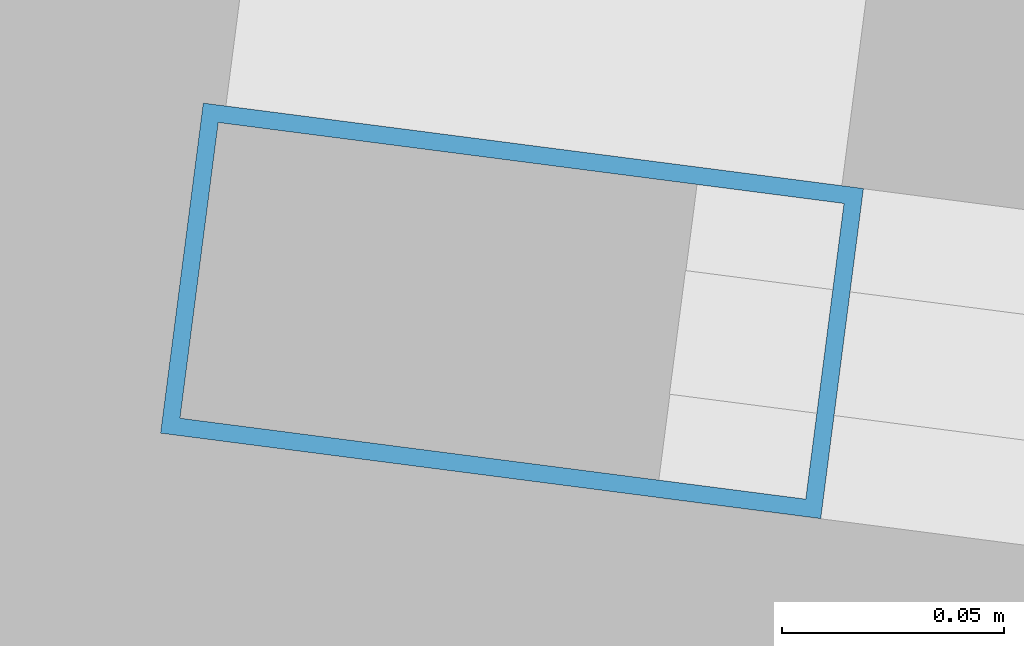
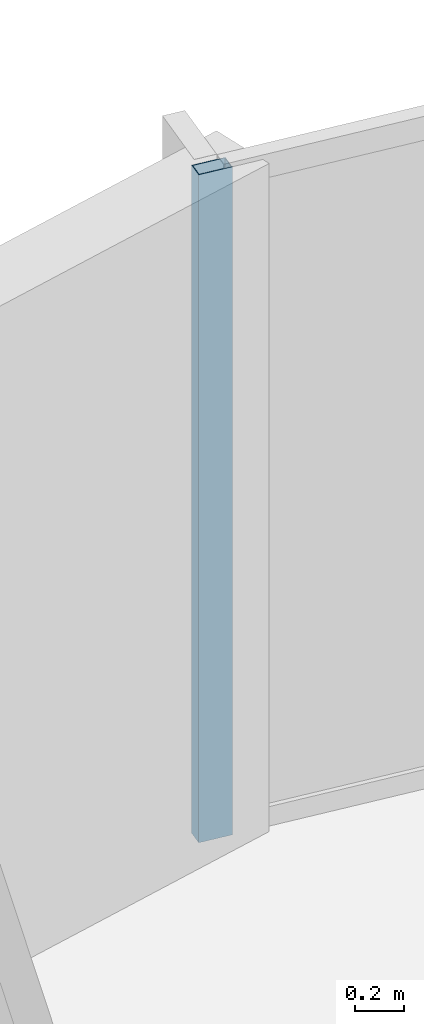
# One storey, part 22 of 33: 1 member, 1 element without a shape of its own.
"""IFC4 building model written with IfcOpenShell, lengths in metres."""

from ifc_helpers import new_model, si_unit, direction, frame, origin, origin_2d, place, context, subcontext, project, spatial, hollow_rectangle, extrude, material, layer, layer_set, material_profile, profile_set, type_object, element, aggregate, save


model = new_model("IFC4")

# Units and contexts
model_context = context("Model", 3, precision=1e-05, world=origin(), true_north=direction((0.0, 1.0)))
body_context = subcontext(model_context, "Body", "Model", "MODEL_VIEW")
ifc_project = project(units=[si_unit("LENGTHUNIT", "METRE"), si_unit("AREAUNIT", "SQUARE_METRE"), si_unit("VOLUMEUNIT", "CUBIC_METRE"), si_unit("PLANEANGLEUNIT", "RADIAN"), si_unit("MASSUNIT", "GRAM", prefix="KILO")], contexts=[model_context])

# Site, building, storey
site_placement = place(None, origin())
site = spatial("IfcSite", under=ifc_project, at=site_placement, CompositionType="ELEMENT")
building_placement = place(site_placement, origin())
building = spatial("IfcBuilding", under=site, at=building_placement, Name="Kazevale Care Tower and Concert Hall", CompositionType="ELEMENT")
storey_placement = place(building_placement, frame((0.0, 0.0, 145.800048828125)))
storey = spatial("IfcBuildingStorey", under=building, at=storey_placement, Name="L38", CompositionType="ELEMENT", Elevation=145.800048828125)

# Curtain wall, member
ifc_material_1 = material(Name="Aluminium 6063-T6 and Low-E Glass", Category="aluminium")
ifc_layer = layer(ifc_material_1, 0.179931640625)
ifc_layer_set = layer_set([ifc_layer], Name="Aluminium 6063-T6 and Low-E Glass")
curtain_wall_type = type_object("IfcCurtainWallType", Name="Convex Recessed Sunroom Curtain Wall CW-3", PredefinedType="NOTDEFINED", material=ifc_layer_set)
curtain_wall_placement = place(storey_placement, origin())
curtain_wall = element("IfcCurtainWall", 1, at=curtain_wall_placement, inside=storey, type_object=curtain_wall_type, Name="cw:L38:f16", PredefinedType="NOTDEFINED")
ifc_material_2 = material(Name="Aluminium 6063-T6", Category="aluminium")
ifc_material_profile = material_profile(ifc_material_2, hollow_rectangle(XDim=0.074951171875, YDim=0.14990234375, WallThickness=0.00390625, at=origin_2d()), Name="ALU75x150x4")
ifc_profile_set = profile_set([ifc_material_profile], Name="Aluminium 6063-T6")
member_type = type_object("IfcMemberType", Name="CW-3 Mullion ALU75x150x4", PredefinedType="MULLION", material=ifc_profile_set)
member_placement = place(storey_placement, frame((45.078125, 64.817138671875, 0.0), z_axis=(0.0, 0.0, 1.0), x_axis=(0.128299815569, 0.99173542708, 0.0)))
member = element("IfcMember", 2, at=member_placement, type_object=member_type, Name="CW-3 mullion 1", PredefinedType="MULLION", context=body_context, shape_type="SweptSolid", body=[
    extrude(hollow_rectangle(XDim=0.074951171875, YDim=0.14990234375, WallThickness=0.00390625, at=origin_2d()), origin(), (0.0, 0.0, 1.0), 3.35986328125),
])
aggregate(curtain_wall, [member])

save(model, "model.ifc")
